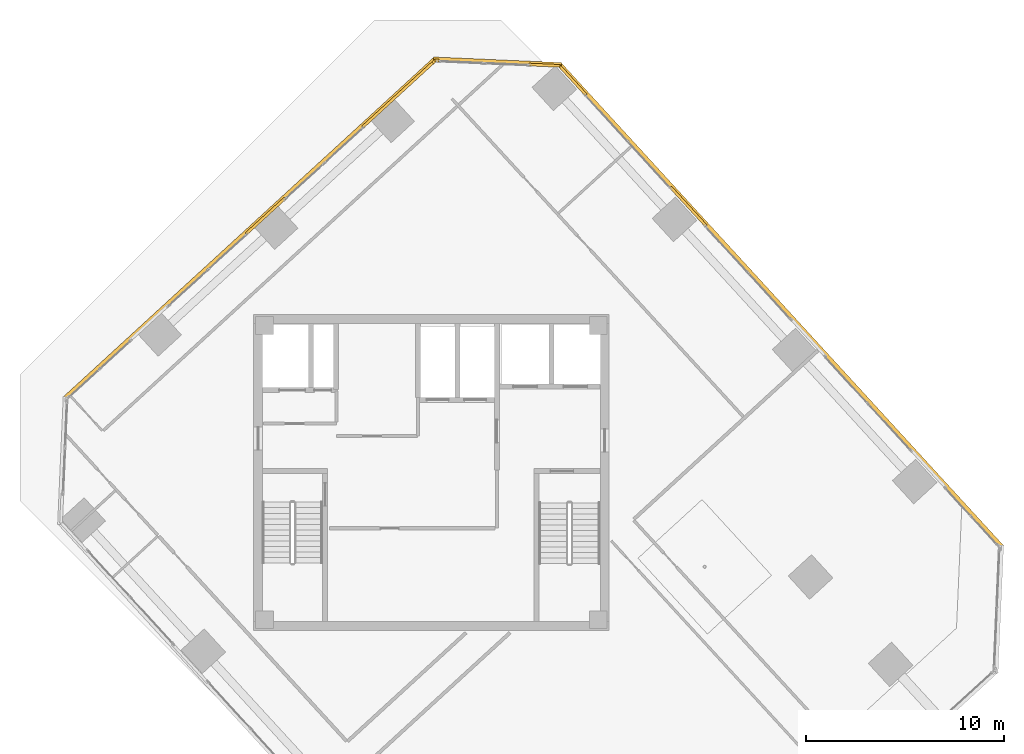
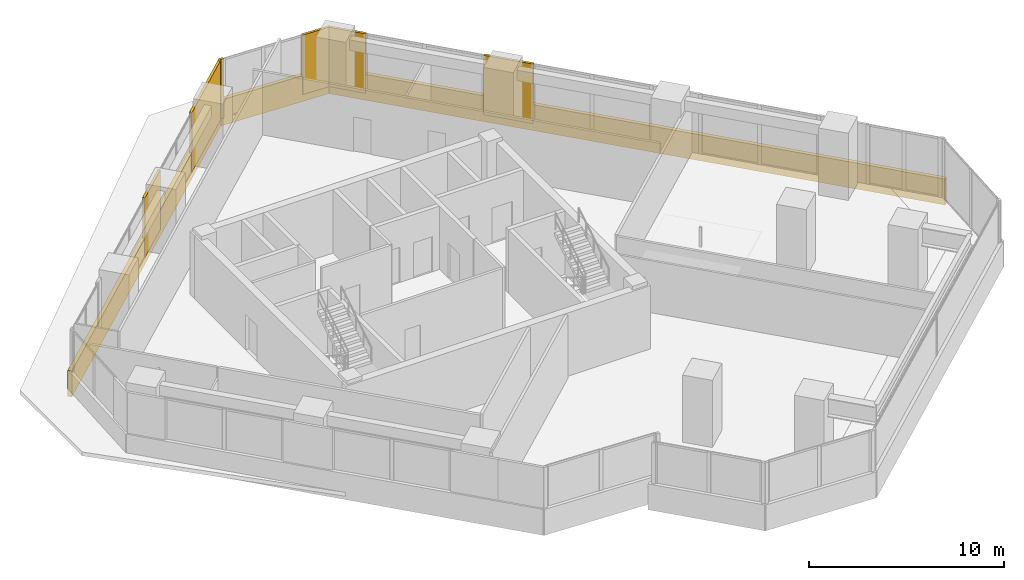
# One storey, part 17 of 17: 10 coverings.
"""IFC4 building model written with IfcOpenShell, lengths in metres."""

from ifc_helpers import new_model, si_unit, direction, frame, origin, origin_2d, place, context, subcontext, project, spatial, rectangle, extrude, source, transform, mapped, material, layer, layer_set, type_object, element, save


model = new_model("IFC4")

# Units and contexts
model_context = context("Model", 3, precision=1e-05, world=origin(), true_north=direction((0.0, 1.0)))
body_context = subcontext(model_context, "Body", "Model", "MODEL_VIEW")
ifc_project = project(units=[si_unit("LENGTHUNIT", "METRE"), si_unit("AREAUNIT", "SQUARE_METRE"), si_unit("VOLUMEUNIT", "CUBIC_METRE"), si_unit("PLANEANGLEUNIT", "RADIAN"), si_unit("MASSUNIT", "GRAM", prefix="KILO")], contexts=[model_context])

# Site, building, storey
site_placement = place(None, origin())
site = spatial("IfcSite", under=ifc_project, at=site_placement, CompositionType="ELEMENT")
building_placement = place(site_placement, origin())
building = spatial("IfcBuilding", under=site, at=building_placement, Name="Torre Montelarca", CompositionType="ELEMENT")
storey_placement = place(building_placement, frame((0.0, 0.0, 254.199951171875)))
storey = spatial("IfcBuildingStorey", under=building, at=storey_placement, Name="L57", CompositionType="ELEMENT", Elevation=254.199951171875)

# Coverings
ifc_material = material(Name="Bush-hammered warm white precast concrete C45/55", Category="concrete")
ifc_layer = layer(ifc_material, 0.139892578125, Name="Bush-hammered warm white precast concrete C45/55", Category="concrete")
ifc_layer_set = layer_set([ifc_layer], Name="Bush-hammered warm white precast concrete C45/55")
covering_type = type_object("IfcCoveringType", Name="COV-TRAY-CLAD", PredefinedType="CLADDING", material=ifc_layer_set)
shared_shape_1 = source(origin(), body_context, "Body", "SweptSolid", [
    extrude(rectangle(XDim=6.48388671875, YDim=0.219970703125, at=origin_2d()), origin(), (0.0, 0.0, 1.0), 1.6201171875),
])
covering_1_placement = place(storey_placement, frame((21.345703125, 52.785400390625, -0.449951171875), z_axis=(0.0, 0.0, 1.0), x_axis=(-0.99904814545, 0.043621131033, 0.0)))
element("IfcCovering", 1, at=covering_1_placement, inside=storey, type_object=covering_type, Name="L57 Architectural White Spandrel Tray Band TRYBOT-09", PredefinedType="CLADDING", context=body_context, shape_type="MappedRepresentation", body=[
    mapped(shared_shape_1, transform((0.0, 0.0, 0.0), scale=1.0)),
])
shared_shape_2 = source(origin(), body_context, "Body", "SweptSolid", [
    extrude(rectangle(XDim=25.52001953125, YDim=0.219970703125, at=origin_2d()), origin(), (0.0, 0.0, 1.0), 1.6201171875),
])
covering_2_placement = place(storey_placement, frame((8.8251953125, 44.35205078125, -0.449951171875), z_axis=(0.0, 0.0, 1.0), x_axis=(-0.737276157682, -0.675591494406, 0.0)))
element("IfcCovering", 2, at=covering_2_placement, inside=storey, type_object=covering_type, Name="L57 Architectural White Spandrel Tray Band TRYBOT-10", PredefinedType="CLADDING", context=body_context, shape_type="MappedRepresentation", body=[
    mapped(shared_shape_2, transform((0.0, 0.0, 0.0), scale=1.0)),
])
shared_shape_3 = source(origin(), body_context, "Body", "SweptSolid", [
    extrude(rectangle(XDim=0.199951171875, YDim=0.139892578125, at=origin_2d()), origin(), (0.0, 0.0, 1.0), 3.719970703125),
])
for number, where, z_axis, x_axis, name in (
    (3, (18.280029296875, 52.859375, 0.0), (0.0, 0.0, 1.0), (-0.999047840893, 0.043628105704, 0.0), "L57 Architectural Column Pier Cladding E09-2"),
    (4, (18.1435546875, 52.8095703125, 0.0), (0.0, 0.0, 1.0), (-0.737276157682, -0.675591494406, 0.0), "L57 Architectural Column Pier Cladding E10-1"),
):
    element("IfcCovering", number, at=place(storey_placement, frame(where, z_axis=z_axis, x_axis=x_axis)), inside=storey, type_object=covering_type, Name=name, PredefinedType="CLADDING", context=body_context, shape_type="MappedRepresentation", body=[
        mapped(shared_shape_3, transform((0.0, 0.0, 0.0), scale=1.0)),
    ])
shared_shape_4 = source(origin(), body_context, "Body", "SweptSolid", [
    extrude(rectangle(XDim=33.219970703125, YDim=0.219970703125, at=origin_2d()), origin(), (0.0, 0.0, 1.0), 1.6201171875),
])
covering_3_placement = place(storey_placement, frame((35.68505859375, 40.454345703125, -0.449951171875), z_axis=(0.0, 0.0, 1.0), x_axis=(-0.675588920823, 0.737278515936, 0.0)))
element("IfcCovering", 5, at=covering_3_placement, inside=storey, type_object=covering_type, Name="L57 Architectural White Spandrel Tray Band TRYBOT-08", PredefinedType="CLADDING", context=body_context, shape_type="MappedRepresentation", body=[
    mapped(shared_shape_4, transform((0.0, 0.0, 0.0), scale=1.0)),
])
shared_shape_5 = source(origin(), body_context, "Body", "SweptSolid", [
    extrude(rectangle(XDim=2.01416015625, YDim=0.139892578125, at=origin_2d()), origin(), (0.0, 0.0, 1.0), 3.719970703125),
])
covering_4_placement = place(storey_placement, frame((25.15087890625, 51.86181640625, 0.0), z_axis=(0.0, 0.0, 1.0), x_axis=(-0.675588920823, 0.737278515936, 0.0)))
element("IfcCovering", 6, at=covering_4_placement, inside=storey, type_object=covering_type, Name="L57 Architectural Column Pier Cladding E08-5", PredefinedType="CLADDING", context=body_context, shape_type="MappedRepresentation", body=[
    mapped(shared_shape_5, transform((0.0, 0.0, 0.0), scale=1.0)),
])
shared_shape_6 = source(origin(), body_context, "Body", "SweptSolid", [
    extrude(rectangle(XDim=2.659912109375, YDim=0.139892578125, at=origin_2d()), origin(), (0.0, 0.0, 1.0), 3.719970703125),
])
for number, where, z_axis, x_axis, name in (
    (7, (31.012939453125, 45.464111328125, 0.0), (0.0, 0.0, 1.0), (-0.675588920823, 0.737278515936, 0.0), "L57 Architectural Column Pier Cladding E08-4"),
    (8, (9.602783203125, 44.9833984375, 0.0), (0.0, 0.0, 1.0), (-0.737276157682, -0.675591494406, 0.0), "L57 Architectural Column Pier Cladding E10-3"),
):
    element("IfcCovering", number, at=place(storey_placement, frame(where, z_axis=z_axis, x_axis=x_axis)), inside=storey, type_object=covering_type, Name=name, PredefinedType="CLADDING", context=body_context, shape_type="MappedRepresentation", body=[
        mapped(shared_shape_6, transform((0.0, 0.0, 0.0), scale=1.0)),
    ])
shared_shape_7 = source(origin(), body_context, "Body", "SweptSolid", [
    extrude(rectangle(XDim=4.914306640625, YDim=0.139892578125, at=origin_2d()), origin(), (0.0, 0.0, 1.0), 3.719970703125),
])
covering_5_placement = place(storey_placement, frame((16.33203125, 51.149658203125, 0.0), z_axis=(0.0, 0.0, 1.0), x_axis=(-0.737276157682, -0.675591494406, 0.0)))
element("IfcCovering", 9, at=covering_5_placement, inside=storey, type_object=covering_type, Name="L57 Architectural Column Pier Cladding E10-2", PredefinedType="CLADDING", context=body_context, shape_type="MappedRepresentation", body=[
    mapped(shared_shape_7, transform((0.0, 0.0, 0.0), scale=1.0)),
])
shared_shape_8 = source(origin(), body_context, "Body", "SweptSolid", [
    extrude(rectangle(XDim=1.5615234375, YDim=0.139892578125, at=origin_2d()), origin(), (0.0, 0.0, 1.0), 3.719970703125),
])
covering_6_placement = place(storey_placement, frame((23.726318359375, 52.621337890625, 0.0), z_axis=(0.0, 0.0, 1.0), x_axis=(-0.999047840893, 0.043628105704, 0.0)))
element("IfcCovering", 10, at=covering_6_placement, inside=storey, type_object=covering_type, Name="L57 Architectural Column Pier Cladding E09-1", PredefinedType="CLADDING", context=body_context, shape_type="MappedRepresentation", body=[
    mapped(shared_shape_8, transform((0.0, 0.0, 0.0), scale=1.0)),
])

save(model, "model.ifc")
